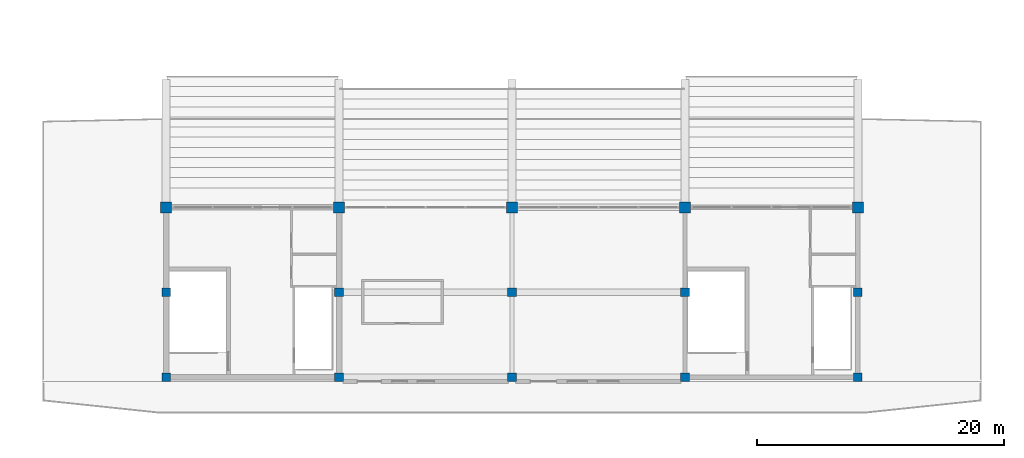
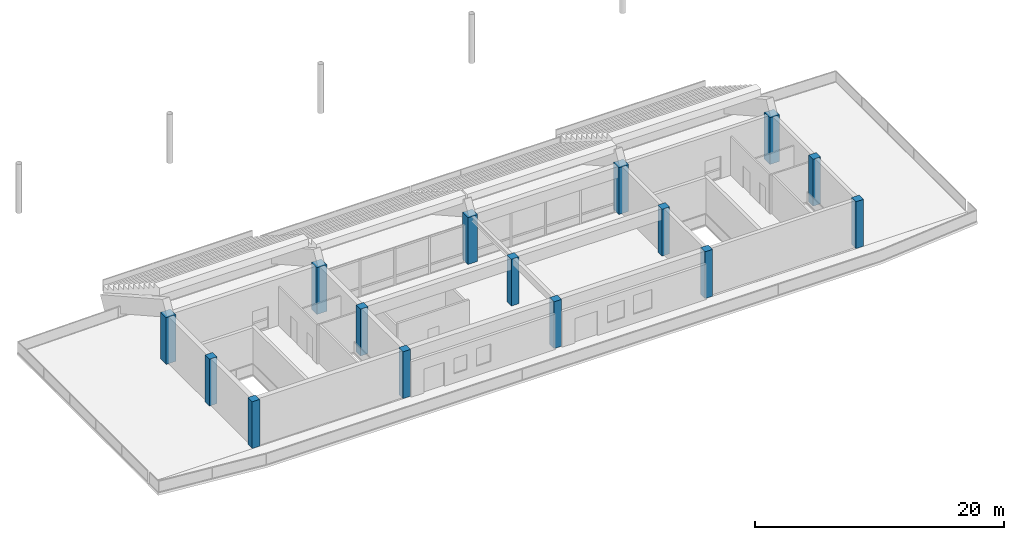
# One storey, part 2 of 94: 15 columns.
"""IFC4 building model written with IfcOpenShell, lengths in metres."""

from ifc_helpers import new_model, si_unit, direction, frame, origin, origin_2d, place, context, subcontext, project, spatial, rectangle, extrude, material, material_profile, profile_set, type_object, element, save


model = new_model("IFC4")

# Units and contexts
model_context = context("Model", 3, precision=1e-05, world=origin(), true_north=direction((0.0, 1.0)))
body_context = subcontext(model_context, "Body", "Model", "MODEL_VIEW")
ifc_project = project(units=[si_unit("LENGTHUNIT", "METRE"), si_unit("AREAUNIT", "SQUARE_METRE"), si_unit("VOLUMEUNIT", "CUBIC_METRE"), si_unit("PLANEANGLEUNIT", "RADIAN"), si_unit("MASSUNIT", "GRAM", prefix="KILO")], contexts=[model_context])

# Site, building, storey
site_placement = place(None, origin())
site = spatial("IfcSite", under=ifc_project, at=site_placement, CompositionType="ELEMENT")
building_placement = place(site_placement, origin())
building = spatial("IfcBuilding", under=site, at=building_placement, Name="Linyun Crest Stadium", CompositionType="ELEMENT")
storey_placement = place(building_placement, frame((0.0, 0.0, 16.199951171875)))
storey = spatial("IfcBuildingStorey", under=building, at=storey_placement, Name="L04", CompositionType="ELEMENT", Elevation=16.199951171875)

# Columns
ifc_material_1 = material(Name="Concrete C50", Category="concrete")
ifc_material_profile_1 = material_profile(ifc_material_1, rectangle(XDim=0.699951171875, YDim=0.699951171875, at=origin_2d()), Name="RC 700x700")
ifc_profile_set_1 = profile_set([ifc_material_profile_1], Name="Concrete C50")
column_type_1 = type_object("IfcColumnType", Name="C02", PredefinedType="COLUMN", material=ifc_profile_set_1)
for number, where, z_axis, x_axis, name in (
    (1, (-28.0, -87.25, 0.0), (0.0, 0.0, 1.0), (1.0, 0.0, 0.0), "Column C02 L04 681"),
    (2, (-28.0, -80.375, 0.0), (0.0, 0.0, 1.0), (1.0, 0.0, 0.0), "Column C02 L04 686"),
    (3, (-14.0, -87.25, 0.0), (0.0, 0.0, 1.0), (1.0, 0.0, 0.0), "Column C02 L04 705"),
    (4, (-14.0, -80.375, 0.0), (0.0, 0.0, 1.0), (1.0, 0.0, 0.0), "Column C02 L04 710"),
    (5, (0.0, -87.25, 0.0), (0.0, 0.0, 1.0), (1.0, 0.0, 0.0), "Column C02 L04 729"),
    (6, (0.0, -80.375, 0.0), (0.0, 0.0, 1.0), (1.0, 0.0, 0.0), "Column C02 L04 734"),
    (7, (14.0, -87.25, 0.0), (0.0, 0.0, 1.0), (1.0, 0.0, 0.0), "Column C02 L04 753"),
    (8, (14.0, -80.375, 0.0), (0.0, 0.0, 1.0), (1.0, 0.0, 0.0), "Column C02 L04 758"),
    (9, (28.0, -87.25, 0.0), (0.0, 0.0, 1.0), (1.0, 0.0, 0.0), "Column C02 L04 777"),
    (10, (28.0, -80.375, 0.0), (0.0, 0.0, 1.0), (1.0, 0.0, 0.0), "Column C02 L04 782"),
):
    element("IfcColumn", number, at=place(storey_placement, frame(where, z_axis=z_axis, x_axis=x_axis)), inside=storey, type_object=column_type_1, Name=name, PredefinedType="COLUMN", context=body_context, shape_type="SweptSolid", body=[
        extrude(rectangle(XDim=0.699951171875, YDim=0.699951171875, at=origin_2d()), origin(), (0.0, 0.0, 1.0), 4.594970703125),
    ])
ifc_material_2 = material(Name="Concrete C50", Category="concrete")
ifc_material_profile_2 = material_profile(ifc_material_2, rectangle(XDim=0.89990234375, YDim=0.89990234375, at=origin_2d()), Name="RC 900x900")
ifc_profile_set_2 = profile_set([ifc_material_profile_2], Name="Concrete C50")
column_type_2 = type_object("IfcColumnType", Name="C04", PredefinedType="COLUMN", material=ifc_profile_set_2)
for number, where, z_axis, x_axis, name in (
    (11, (-28.0, -73.5, 0.0), (0.0, 0.0, 1.0), (1.0, 0.0, 0.0), "Column C04 L04 691"),
    (12, (-14.0, -73.5, 0.0), (0.0, 0.0, 1.0), (1.0, 0.0, 0.0), "Column C04 L04 715"),
    (13, (0.0, -73.5, 0.0), (0.0, 0.0, 1.0), (1.0, 0.0, 0.0), "Column C04 L04 739"),
    (14, (14.0, -73.5, 0.0), (0.0, 0.0, 1.0), (1.0, 0.0, 0.0), "Column C04 L04 763"),
    (15, (28.0, -73.5, 0.0), (0.0, 0.0, 1.0), (1.0, 0.0, 0.0), "Column C04 L04 787"),
):
    element("IfcColumn", number, at=place(storey_placement, frame(where, z_axis=z_axis, x_axis=x_axis)), inside=storey, type_object=column_type_2, Name=name, PredefinedType="COLUMN", context=body_context, shape_type="SweptSolid", body=[
        extrude(rectangle(XDim=0.89990234375, YDim=0.89990234375, at=origin_2d()), origin(), (0.0, 0.0, 1.0), 4.594970703125),
    ])

save(model, "model.ifc")
